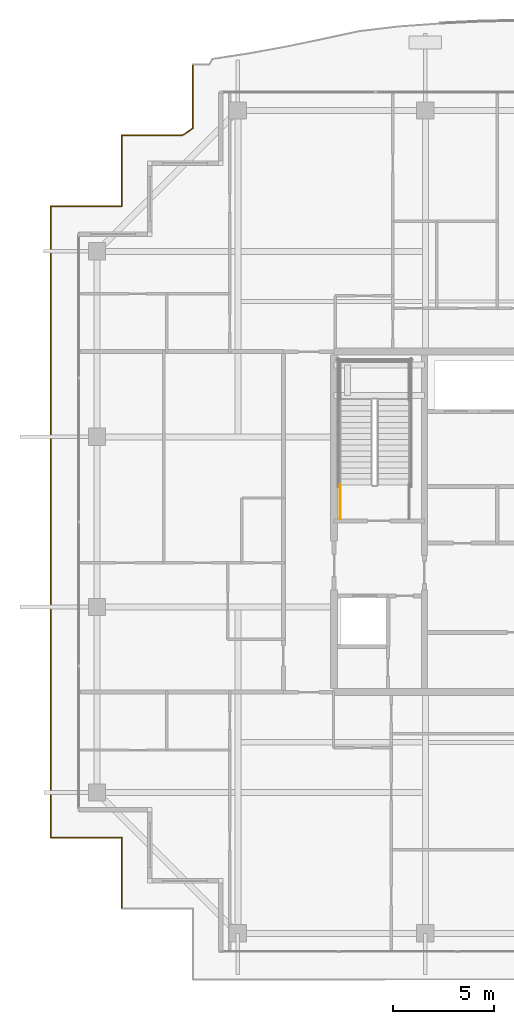
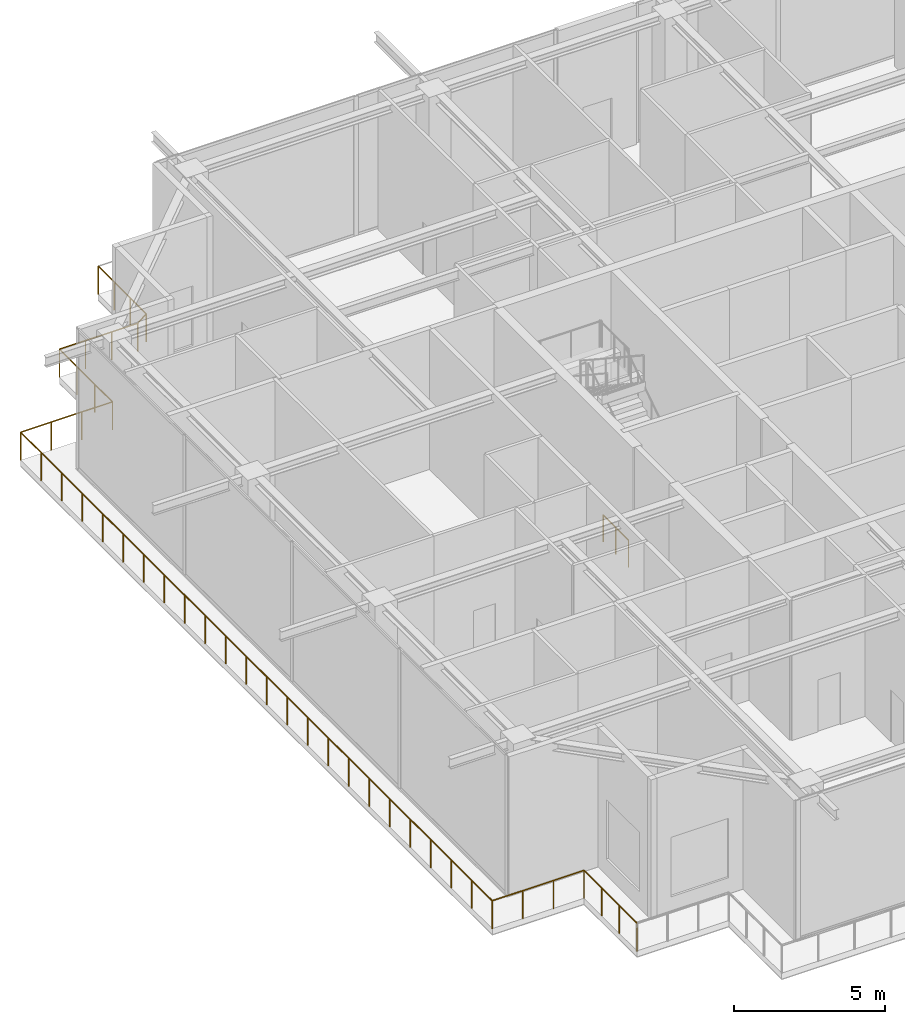
# One storey, part 36 of 40: 2 railings.
"""IFC4 building model written with IfcOpenShell, lengths in metres."""

from ifc_helpers import new_model, si_unit, direction, frame, origin, origin_2d, place, context, subcontext, project, spatial, circle, extrude, material, type_object, element, save


model = new_model("IFC4")

# Units and contexts
model_context = context("Model", 3, precision=1e-05, world=origin(), true_north=direction((0.0, 1.0)))
body_context = subcontext(model_context, "Body", "Model", "MODEL_VIEW")
ifc_project = project(units=[si_unit("LENGTHUNIT", "METRE"), si_unit("AREAUNIT", "SQUARE_METRE"), si_unit("VOLUMEUNIT", "CUBIC_METRE"), si_unit("PLANEANGLEUNIT", "RADIAN"), si_unit("MASSUNIT", "GRAM", prefix="KILO")], contexts=[model_context])

# Site, building, storey
site_placement = place(None, origin())
site = spatial("IfcSite", under=ifc_project, at=site_placement, CompositionType="ELEMENT")
building_placement = place(site_placement, origin())
building = spatial("IfcBuilding", under=site, at=building_placement, Name="Serunith Strait Residences", CompositionType="ELEMENT")
storey_placement = place(building_placement, frame((0.0, 0.0, 347.949951171875)))
storey = spatial("IfcBuildingStorey", under=building, at=storey_placement, Name="L86", CompositionType="ELEMENT", Elevation=347.949951171875)

# Railings
ifc_material_1 = material(Name="Stainless Steel & Laminated Glass Balustrade", Category="steel")
railing_type_1 = type_object("IfcRailingType", Name="RLG-BALC-1150", PredefinedType="BALUSTRADE", material=ifc_material_1)
railing_1_placement = place(storey_placement, frame((12.919921875, 6.1201171875, -0.050048828125)))
element("IfcRailing", 1, at=railing_1_placement, inside=storey, type_object=railing_type_1, Name="L86 Swirling Balcony Perimeter Balustrade 8", PredefinedType="BALUSTRADE", context=body_context, shape_type="SweptSolid", body=[
    extrude(circle(Radius=0.02392578125, at=origin_2d()), frame((0.0, 0.001953125, 1.1259765625), z_axis=(0.0, 1.0, 0.0), x_axis=(-1.0, 0.0, 0.0)), (0.0, 0.0, 1.0), 3.49609375),
    extrude(circle(Radius=0.02392578125, at=origin_2d()), frame((-0.001953125, 3.5, 1.1259765625), z_axis=(-1.0, 0.0, 0.0), x_axis=(0.0, -1.0, 0.0)), (0.0, 0.0, 1.0), 3.49609375),
    extrude(circle(Radius=0.02392578125, at=origin_2d()), frame((-3.5, 3.501953125, 1.1259765625), z_axis=(0.0, 1.0, 0.0), x_axis=(-1.0, 0.0, 0.0)), (0.0, 0.0, 1.0), 31.156005859375),
    extrude(circle(Radius=0.02392578125, at=origin_2d()), frame((-3.498046875, 34.659912109375, 1.1259765625), z_axis=(1.0, 0.0, 0.0), x_axis=(0.0, 1.0, 0.0)), (0.0, 0.0, 1.0), 3.49609375),
    extrude(circle(Radius=0.02392578125, at=origin_2d()), frame((0.0, 34.661865234375, 1.1259765625), z_axis=(0.0, 1.0, 0.0), x_axis=(-1.0, 0.0, 0.0)), (0.0, 0.0, 1.0), 3.49609375),
    extrude(circle(Radius=0.02392578125, at=origin_2d()), frame((0.001953125, 38.159912109375, 1.1259765625), z_axis=(1.0, 0.0, 0.0), x_axis=(0.0, 1.0, 0.0)), (0.0, 0.0, 1.0), 2.988037109375),
    extrude(circle(Radius=0.02392578125, at=origin_2d()), frame((2.99365234375, 38.160888671875, 1.1259765625), z_axis=(0.838931439, 0.544237118044, 0.0), x_axis=(-0.544237118044, 0.838931439, 0.0)), (0.0, 0.0, 1.0), 0.6015625),
    extrude(circle(Radius=0.02392578125, at=origin_2d()), frame((3.5, 38.491455078125, 1.1259765625), z_axis=(0.0, 1.0, 0.0), x_axis=(-1.0, 0.0, 0.0)), (0.0, 0.0, 1.0), 3.16650390625),
    extrude(circle(Radius=0.02099609375, at=origin_2d()), origin(), (0.0, 0.0, 1.0), 1.099853515625),
    extrude(circle(Radius=0.02099609375, at=origin_2d()), frame((0.0, 1.166748046875, 0.0)), (0.0, 0.0, 1.0), 1.099853515625),
    extrude(circle(Radius=0.02099609375, at=origin_2d()), frame((0.0, 2.333251953125, 0.0)), (0.0, 0.0, 1.0), 1.099853515625),
    extrude(circle(Radius=0.02099609375, at=origin_2d()), frame((0.0, 3.5, 0.0)), (0.0, 0.0, 1.0), 1.099853515625),
    extrude(circle(Radius=0.02099609375, at=origin_2d()), frame((-1.166748046875, 3.5, 0.0)), (0.0, 0.0, 1.0), 1.099853515625),
    extrude(circle(Radius=0.02099609375, at=origin_2d()), frame((-2.333251953125, 3.5, 0.0)), (0.0, 0.0, 1.0), 1.099853515625),
    extrude(circle(Radius=0.02099609375, at=origin_2d()), frame((-3.5, 3.5, 0.0)), (0.0, 0.0, 1.0), 1.099853515625),
    extrude(circle(Radius=0.02099609375, at=origin_2d()), frame((-3.5, 4.854736328125, 0.0)), (0.0, 0.0, 1.0), 1.099853515625),
    extrude(circle(Radius=0.02099609375, at=origin_2d()), frame((-3.5, 6.20947265625, 0.0)), (0.0, 0.0, 1.0), 1.099853515625),
    extrude(circle(Radius=0.02099609375, at=origin_2d()), frame((-3.5, 7.564453125, 0.0)), (0.0, 0.0, 1.0), 1.099853515625),
    extrude(circle(Radius=0.02099609375, at=origin_2d()), frame((-3.5, 8.919189453125, 0.0)), (0.0, 0.0, 1.0), 1.099853515625),
    extrude(circle(Radius=0.02099609375, at=origin_2d()), frame((-3.5, 10.27392578125, 0.0)), (0.0, 0.0, 1.0), 1.099853515625),
    extrude(circle(Radius=0.02099609375, at=origin_2d()), frame((-3.5, 11.628662109375, 0.0)), (0.0, 0.0, 1.0), 1.099853515625),
    extrude(circle(Radius=0.02099609375, at=origin_2d()), frame((-3.5, 12.9833984375, 0.0)), (0.0, 0.0, 1.0), 1.099853515625),
    extrude(circle(Radius=0.02099609375, at=origin_2d()), frame((-3.5, 14.338134765625, 0.0)), (0.0, 0.0, 1.0), 1.099853515625),
    extrude(circle(Radius=0.02099609375, at=origin_2d()), frame((-3.5, 15.693115234375, 0.0)), (0.0, 0.0, 1.0), 1.099853515625),
    extrude(circle(Radius=0.02099609375, at=origin_2d()), frame((-3.5, 17.0478515625, 0.0)), (0.0, 0.0, 1.0), 1.099853515625),
    extrude(circle(Radius=0.02099609375, at=origin_2d()), frame((-3.5, 18.402587890625, 0.0)), (0.0, 0.0, 1.0), 1.099853515625),
    extrude(circle(Radius=0.02099609375, at=origin_2d()), frame((-3.5, 19.75732421875, 0.0)), (0.0, 0.0, 1.0), 1.099853515625),
    extrude(circle(Radius=0.02099609375, at=origin_2d()), frame((-3.5, 21.112060546875, 0.0)), (0.0, 0.0, 1.0), 1.099853515625),
    extrude(circle(Radius=0.02099609375, at=origin_2d()), frame((-3.5, 22.466796875, 0.0)), (0.0, 0.0, 1.0), 1.099853515625),
    extrude(circle(Radius=0.02099609375, at=origin_2d()), frame((-3.5, 23.82177734375, 0.0)), (0.0, 0.0, 1.0), 1.099853515625),
    extrude(circle(Radius=0.02099609375, at=origin_2d()), frame((-3.5, 25.176513671875, 0.0)), (0.0, 0.0, 1.0), 1.099853515625),
    extrude(circle(Radius=0.02099609375, at=origin_2d()), frame((-3.5, 26.53125, 0.0)), (0.0, 0.0, 1.0), 1.099853515625),
    extrude(circle(Radius=0.02099609375, at=origin_2d()), frame((-3.5, 27.885986328125, 0.0)), (0.0, 0.0, 1.0), 1.099853515625),
    extrude(circle(Radius=0.02099609375, at=origin_2d()), frame((-3.5, 29.24072265625, 0.0)), (0.0, 0.0, 1.0), 1.099853515625),
    extrude(circle(Radius=0.02099609375, at=origin_2d()), frame((-3.5, 30.595458984375, 0.0)), (0.0, 0.0, 1.0), 1.099853515625),
    extrude(circle(Radius=0.02099609375, at=origin_2d()), frame((-3.5, 31.950439453125, 0.0)), (0.0, 0.0, 1.0), 1.099853515625),
    extrude(circle(Radius=0.02099609375, at=origin_2d()), frame((-3.5, 33.30517578125, 0.0)), (0.0, 0.0, 1.0), 1.099853515625),
    extrude(circle(Radius=0.02099609375, at=origin_2d()), frame((-3.5, 34.659912109375, 0.0)), (0.0, 0.0, 1.0), 1.099853515625),
    extrude(circle(Radius=0.02099609375, at=origin_2d()), frame((-2.333251953125, 34.659912109375, 0.0)), (0.0, 0.0, 1.0), 1.099853515625),
    extrude(circle(Radius=0.02099609375, at=origin_2d()), frame((-1.166748046875, 34.659912109375, 0.0)), (0.0, 0.0, 1.0), 1.099853515625),
    extrude(circle(Radius=0.02099609375, at=origin_2d()), frame((0.0, 34.659912109375, 0.0)), (0.0, 0.0, 1.0), 1.099853515625),
    extrude(circle(Radius=0.02099609375, at=origin_2d()), frame((0.0, 35.82666015625, 0.0)), (0.0, 0.0, 1.0), 1.099853515625),
    extrude(circle(Radius=0.02099609375, at=origin_2d()), frame((0.0, 36.9931640625, 0.0)), (0.0, 0.0, 1.0), 1.099853515625),
    extrude(circle(Radius=0.02099609375, at=origin_2d()), frame((0.0, 38.159912109375, 0.0)), (0.0, 0.0, 1.0), 1.099853515625),
    extrude(circle(Radius=0.02099609375, at=origin_2d()), frame((0.997314453125, 38.159912109375, 0.0)), (0.0, 0.0, 1.0), 1.099853515625),
    extrude(circle(Radius=0.02099609375, at=origin_2d()), frame((1.99462890625, 38.159912109375, 0.0)), (0.0, 0.0, 1.0), 1.099853515625),
    extrude(circle(Radius=0.02099609375, at=origin_2d()), frame((2.991943359375, 38.159912109375, 0.0)), (0.0, 0.0, 1.0), 1.099853515625),
    extrude(circle(Radius=0.02099609375, at=origin_2d()), frame((3.5, 38.489501953125, 0.0)), (0.0, 0.0, 1.0), 1.099853515625),
    extrude(circle(Radius=0.02099609375, at=origin_2d()), frame((3.5, 39.54638671875, 0.0)), (0.0, 0.0, 1.0), 1.099853515625),
    extrude(circle(Radius=0.02099609375, at=origin_2d()), frame((3.5, 40.60302734375, 0.0)), (0.0, 0.0, 1.0), 1.099853515625),
    extrude(circle(Radius=0.02099609375, at=origin_2d()), frame((3.5, 41.659912109375, 0.0)), (0.0, 0.0, 1.0), 1.099853515625),
])
ifc_material_2 = material(Name="Brushed stainless steel 316L", Category="steel")
railing_type_2 = type_object("IfcRailingType", Name="RLG-STAIR-GUARD", PredefinedType="BALUSTRADE", material=ifc_material_2)
railing_2_placement = place(storey_placement, frame((23.699951171875, 25.35009765625, 0.0)))
element("IfcRailing", 2, at=railing_2_placement, inside=storey, type_object=railing_type_2, Name="L86 ST-1 stair guard 9", PredefinedType="BALUSTRADE", context=body_context, shape_type="SweptSolid", body=[
    extrude(circle(Radius=0.02392578125, at=origin_2d()), frame((0.0, 0.001953125, 1.076171875), z_axis=(0.0, 1.0, 0.0), x_axis=(-1.0, 0.0, 0.0)), (0.0, 0.0, 1.0), 1.676025390625),
    extrude(circle(Radius=0.02099609375, at=origin_2d()), origin(), (0.0, 0.0, 1.0), 1.050048828125),
    extrude(circle(Radius=0.02099609375, at=origin_2d()), frame((0.0, 0.83984375, 0.0)), (0.0, 0.0, 1.0), 1.050048828125),
    extrude(circle(Radius=0.02099609375, at=origin_2d()), frame((0.0, 1.679931640625, 0.0)), (0.0, 0.0, 1.0), 1.050048828125),
])

save(model, "model.ifc")
